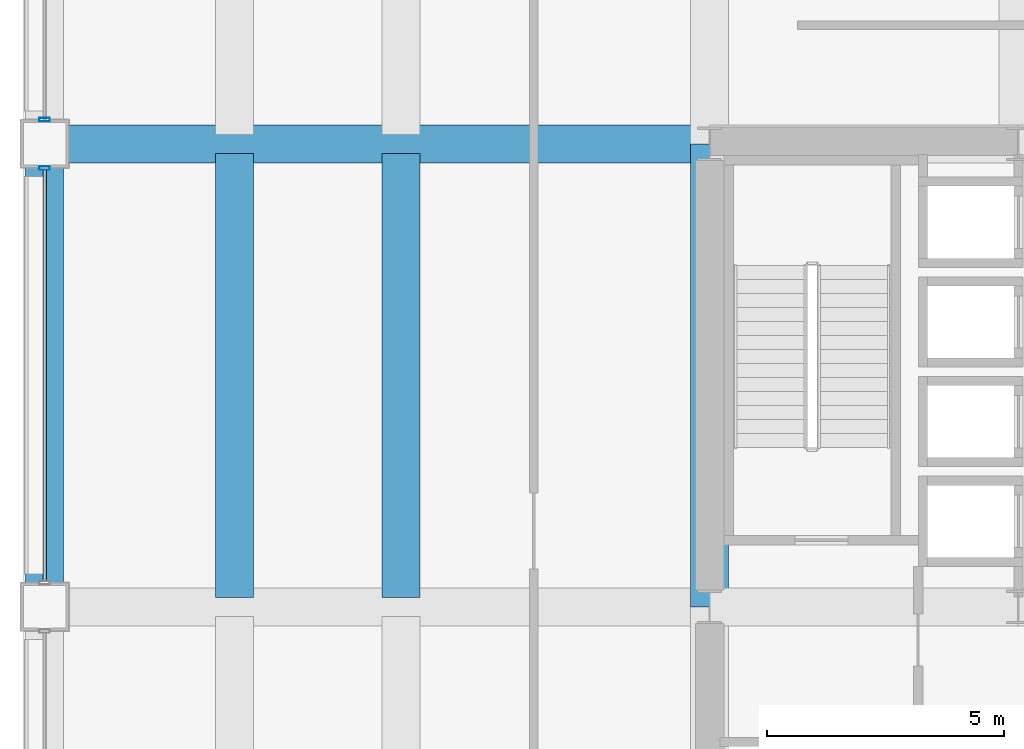
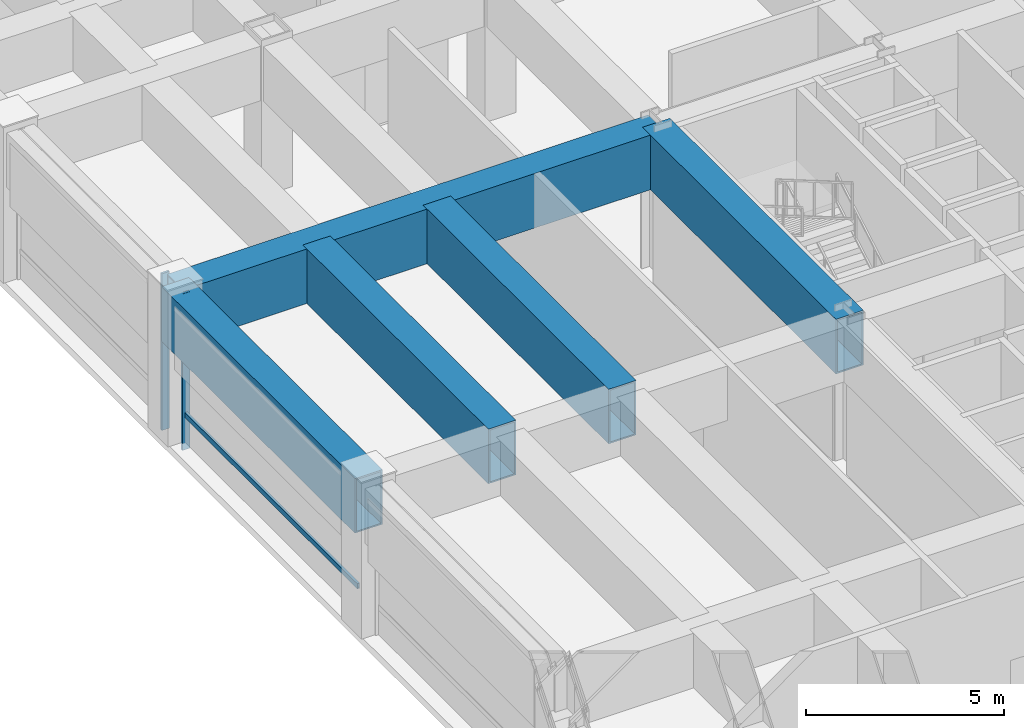
# One storey, part 14 of 30: 5 beams, 3 members, 2 elements without a shape of their own.
"""IFC4 building model written with IfcOpenShell, lengths in metres."""

from ifc_helpers import new_model, si_unit, direction, frame, origin, origin_2d, place, context, subcontext, project, spatial, hollow_rectangle, extrude, material, layer, layer_set, material_profile, profile_set, type_object, element, aggregate, save


model = new_model("IFC4")

# Units and contexts
model_context = context("Model", 3, precision=1e-05, world=origin(), true_north=direction((0.0, 1.0)))
body_context = subcontext(model_context, "Body", "Model", "MODEL_VIEW")
ifc_project = project(units=[si_unit("LENGTHUNIT", "METRE"), si_unit("AREAUNIT", "SQUARE_METRE"), si_unit("VOLUMEUNIT", "CUBIC_METRE"), si_unit("PLANEANGLEUNIT", "RADIAN"), si_unit("MASSUNIT", "GRAM", prefix="KILO")], contexts=[model_context])

# Site, building, storey
site_placement = place(None, origin())
site = spatial("IfcSite", under=ifc_project, at=site_placement, CompositionType="ELEMENT")
building_placement = place(site_placement, origin())
building = spatial("IfcBuilding", under=site, at=building_placement, Name="Brelmoor Portico Tower", CompositionType="ELEMENT")
storey_placement = place(building_placement, frame((0.0, 0.0, 19.199951171875)))
storey = spatial("IfcBuildingStorey", under=building, at=storey_placement, Name="L04", CompositionType="ELEMENT", Elevation=19.199951171875)

# Beams
ifc_material_1 = material(Name="Steel Q355B", Category="steel")
ifc_material_profile_1 = material_profile(ifc_material_1, hollow_rectangle(XDim=0.800048828125, YDim=1.679931640625, WallThickness=0.044921875, at=origin_2d()), Name="BOX 800x1680x45")
ifc_profile_set_1 = profile_set([ifc_material_profile_1], Name="Steel Q355B")
beam_type = type_object("IfcBeamType", Name="BM-TG-Z1", PredefinedType="BEAM", material=ifc_profile_set_1)
for number, where, z_axis, x_axis, name in (
    (1, (-28.550048828125, 0.0, 3.760009765625), (0.0, 1.0, 0.0), (-1.0, 0.0, 0.0), "L04 Perimeter Transfer Beam SP-18"),
    (2, (-14.550048828125, 0.0, 3.760009765625), (0.0, 1.0, 0.0), (-1.0, 0.0, 0.0), "L04 Setback Transfer Girder PG-06"),
):
    element("IfcBeam", number, at=place(storey_placement, frame(where, z_axis=z_axis, x_axis=x_axis)), inside=storey, type_object=beam_type, Name=name, PredefinedType="BEAM", context=body_context, shape_type="SweptSolid", body=[
        extrude(hollow_rectangle(XDim=0.800048828125, YDim=1.679931640625, WallThickness=0.044921875, at=origin_2d()), origin(), (0.0, 0.0, 1.0), 9.75),
    ])
beam_placement = place(storey_placement, frame((-28.550048828125, 9.75, 3.760009765625), z_axis=(1.0, 0.0, 0.0), x_axis=(0.0, 1.0, 0.0)))
element("IfcBeam", 3, at=beam_placement, inside=storey, type_object=beam_type, Name="L04 Setback Transfer Girder PG-35", PredefinedType="BEAM", context=body_context, shape_type="SweptSolid", body=[
    extrude(hollow_rectangle(XDim=0.800048828125, YDim=1.679931640625, WallThickness=0.044921875, at=origin_2d()), origin(), (0.0, 0.0, 1.0), 14.0),
])
for number, where, z_axis, x_axis, name in (
    (4, (-21.050048828125, 0.199951171875, 3.760009765625), (0.0, 1.0, 0.0), (-1.0, 0.0, 0.0), "L04 Setback Transfer Girder TGN-30"),
    (5, (-24.550048828125, 0.199951171875, 3.760009765625), (0.0, 1.0, 0.0), (-1.0, 0.0, 0.0), "L04 Setback Transfer Girder TGN-43"),
):
    element("IfcBeam", number, at=place(storey_placement, frame(where, z_axis=z_axis, x_axis=x_axis)), inside=storey, type_object=beam_type, Name=name, PredefinedType="BEAM", context=body_context, shape_type="SweptSolid", body=[
        extrude(hollow_rectangle(XDim=0.800048828125, YDim=1.679931640625, WallThickness=0.044921875, at=origin_2d()), origin(), (0.0, 0.0, 1.0), 9.35009765625),
    ])

# Curtain wall, member
ifc_material_2 = material(Name="Anodised Aluminium Alloy 6063-T6", Category="aluminium")
ifc_layer = layer(ifc_material_2, 0.179931640625)
ifc_layer_set = layer_set([ifc_layer], Name="Anodised Aluminium Alloy 6063-T6")
curtain_wall_type = type_object("IfcCurtainWallType", Name="CW-PODIUM-ARCH", PredefinedType="NOTDEFINED", material=ifc_layer_set)
curtain_wall_1_placement = place(storey_placement, origin())
curtain_wall_1 = element("IfcCurtainWall", 6, at=curtain_wall_1_placement, inside=storey, type_object=curtain_wall_type, Name="L04 Curtain Wall CW-L04-03-4", PredefinedType="NOTDEFINED")
ifc_material_profile_2 = material_profile(ifc_material_2, hollow_rectangle(XDim=0.074951171875, YDim=0.219970703125, WallThickness=0.0048828125, at=origin_2d()), Name="ALU MULLION 75x220")
ifc_profile_set_2 = profile_set([ifc_material_profile_2], Name="Anodised Aluminium Alloy 6063-T6")
member_type_1 = type_object("IfcMemberType", Name="MB-CW-MULL-220", PredefinedType="MULLION", material=ifc_profile_set_2)
member_1_placement = place(storey_placement, frame((-28.550048828125, 9.239990234375, -0.219970703125), z_axis=(0.0, 0.0, 1.0), x_axis=(0.0, 1.0, 0.0)))
member_1 = element("IfcMember", 7, at=member_1_placement, type_object=member_type_1, Name="CW-L04-03-4 Mullion 01", PredefinedType="MULLION", context=body_context, shape_type="SweptSolid", body=[
    extrude(hollow_rectangle(XDim=0.074951171875, YDim=0.219970703125, WallThickness=0.0048828125, at=origin_2d()), origin(), (0.0, 0.0, 1.0), 4.820068359375),
])

curtain_wall_2_placement = place(storey_placement, origin())
curtain_wall_2 = element("IfcCurtainWall", 8, at=curtain_wall_2_placement, inside=storey, type_object=curtain_wall_type, Name="L04 Curtain Wall CW-L04-03-5", PredefinedType="NOTDEFINED")
member_2_placement = place(storey_placement, frame((-28.550048828125, 10.260009765625, -0.219970703125), z_axis=(0.0, 0.0, 1.0), x_axis=(0.0, 1.0, 0.0)))
member_2 = element("IfcMember", 9, at=member_2_placement, type_object=member_type_1, Name="CW-L04-03-5 Mullion 00", PredefinedType="MULLION", context=body_context, shape_type="SweptSolid", body=[
    extrude(hollow_rectangle(XDim=0.074951171875, YDim=0.219970703125, WallThickness=0.0048828125, at=origin_2d()), origin(), (0.0, 0.0, 1.0), 4.820068359375),
])
aggregate(curtain_wall_2, [member_2])

# Member
ifc_material_profile_3 = material_profile(ifc_material_2, hollow_rectangle(XDim=0.070068359375, YDim=0.159912109375, WallThickness=0.00390625, at=origin_2d()), Name="ALU TRANSOM 70x160")
ifc_profile_set_3 = profile_set([ifc_material_profile_3], Name="Anodised Aluminium Alloy 6063-T6")
member_type_2 = type_object("IfcMemberType", Name="MB-CW-TRAN-160", PredefinedType="USERDEFINED", material=ifc_profile_set_3)
member_3_placement = place(storey_placement, frame((-28.550048828125, 0.510009765625, 0.85009765625), z_axis=(0.0, 1.0, 0.0), x_axis=(-1.0, 0.0, 0.0)))
member_3 = element("IfcMember", 10, at=member_3_placement, type_object=member_type_2, Name="CW-L04-03-4 Transom 1-00", ObjectType="TRANSOM", PredefinedType="USERDEFINED", context=body_context, shape_type="SweptSolid", body=[
    extrude(hollow_rectangle(XDim=0.070068359375, YDim=0.159912109375, WallThickness=0.00390625, at=origin_2d()), origin(), (0.0, 0.0, 1.0), 8.72998046875),
])

aggregate(curtain_wall_1, [member_1, member_3])

save(model, "model.ifc")
